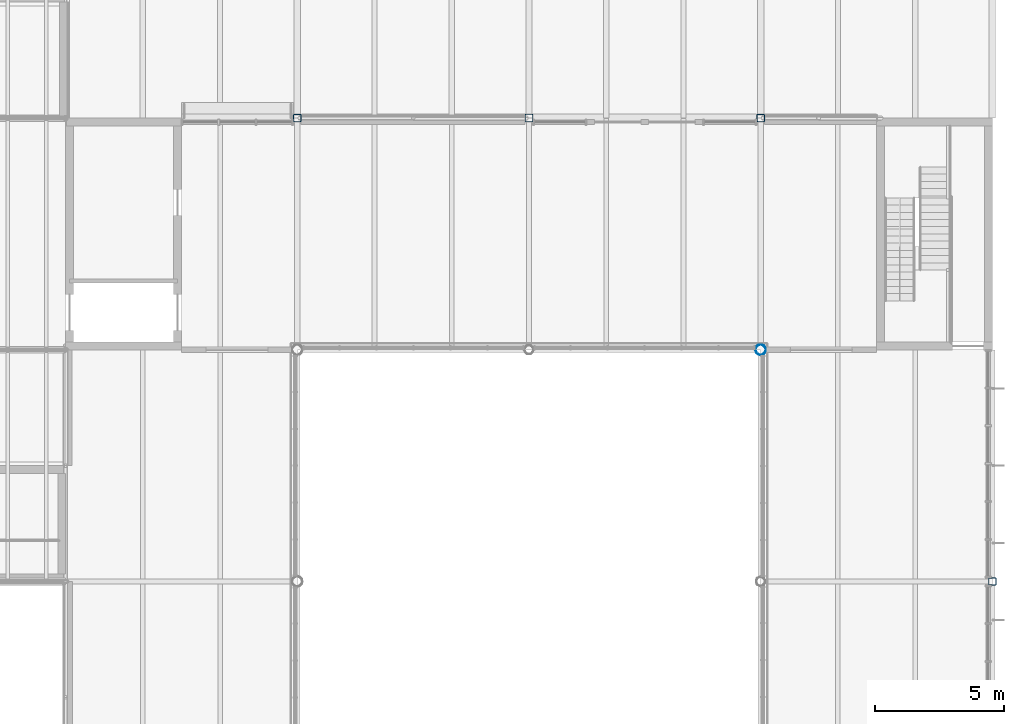
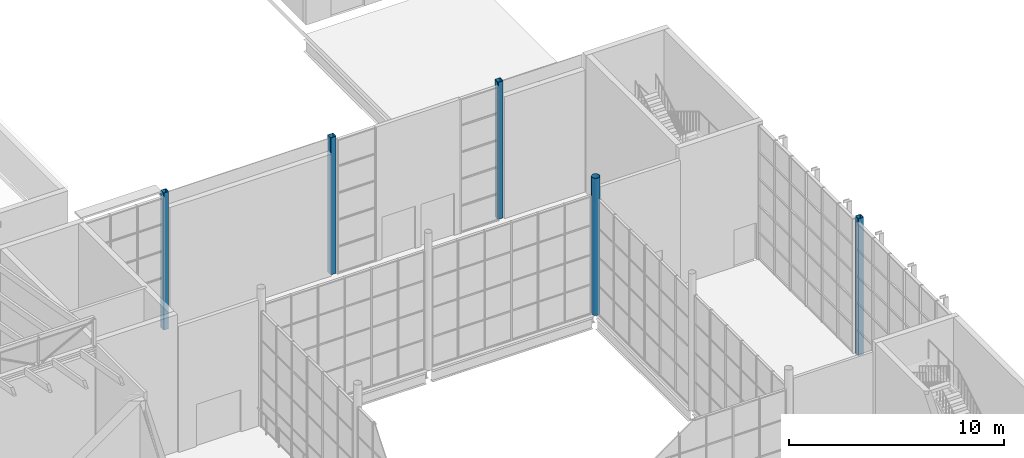
# One storey, part 6 of 90: 5 columns.
"""IFC4 building model written with IfcOpenShell, lengths in metres."""

import ifcopenshell
import ifcopenshell.guid

model = None  # the IFC model being written
_history = None  # IfcOwnerHistory: only IFC2X3 demands one
_inside = {}  # id of a spatial element -> (the spatial element, [elements in it])
_under = {}  # id of a project, library or spatial element -> (it, [spatial elements below it])
_declared = {}  # id of a project -> (the project, [libraries it declares])
_typed = {}  # id of a type object -> (the type object, [elements of that type])
_made_of = {}  # id of a material, layer set ... -> (it, [elements and type objects made of it])


def new_model(schema):
    """Start an empty IFC model of exactly this schema.

    Asked for "IFC4X3", IfcOpenShell would pick the latest addendum, in which some entities
    have other attributes; the version numbers below select the first issue.
    IFC2X3 requires an IfcOwnerHistory on every rooted entity: one is made here for all.
    """
    global model, _history
    if schema == "IFC4X3":
        model = ifcopenshell.file(schema_version=(4, 3, 0, 0))
    else:
        model = ifcopenshell.file(schema=schema)
    _inside.clear()
    _under.clear()
    _declared.clear()
    _typed.clear()
    _made_of.clear()
    _history = None
    if model.schema == "IFC2X3":
        org = make("IfcOrganization", Name="unknown")
        user = make(
            "IfcPersonAndOrganization",
            ThePerson=make("IfcPerson", FamilyName="unknown"),
            TheOrganization=org,
        )
        app = make(
            "IfcApplication",
            ApplicationDeveloper=org,
            Version="unknown",
            ApplicationFullName="unknown",
            ApplicationIdentifier="unknown",
        )
        _history = make(
            "IfcOwnerHistory",
            OwningUser=user,
            OwningApplication=app,
            ChangeAction="ADDED",
            CreationDate=0,
        )
    return model


def make(cls, **values):
    """One entity of the class cls with the attributes given. An attribute that is None is left unset."""
    return model.create_entity(
        cls, **{name: value for name, value in values.items() if value is not None}
    )


def rooted(cls, **values):
    """An entity with a GlobalId (a new one), such as an element, a storey or a relation."""
    return make(cls, GlobalId=ifcopenshell.guid.new(), OwnerHistory=_history, **values)


def si_unit(unit_type, name, prefix=None):
    """IfcSIUnit, for example si_unit("LENGTHUNIT", "METRE", prefix="MILLI")."""
    return make("IfcSIUnit", UnitType=unit_type, Prefix=prefix, Name=name)


def assignment(units):
    """IfcUnitAssignment: the units of a project."""
    return None if units is None else make("IfcUnitAssignment", Units=units)


def point(xyz):
    """IfcCartesianPoint."""
    return None if xyz is None else make("IfcCartesianPoint", Coordinates=xyz)


def direction(xyz):
    """IfcDirection."""
    return None if xyz is None else make("IfcDirection", DirectionRatios=xyz)


def frame(location, z_axis=None, x_axis=None):
    """IfcAxis2Placement3D, a coordinate frame: its origin and axes. An axis left out is left unset."""
    return make(
        "IfcAxis2Placement3D",
        Location=point(location),
        Axis=direction(z_axis),
        RefDirection=direction(x_axis),
    )


def frame_2d(location, x_axis=None):
    """IfcAxis2Placement2D, a coordinate frame in the plane: its origin and x axis."""
    return make(
        "IfcAxis2Placement2D", Location=point(location), RefDirection=direction(x_axis)
    )


def origin():
    """The frame at (0, 0, 0) with its axes left unset."""
    return frame((0.0, 0.0, 0.0))


def origin_2d():
    """The frame at (0, 0) in the plane with its x axis left unset."""
    return frame_2d((0.0, 0.0))


def place(relative_to, where):
    """IfcLocalPlacement: puts the frame where relative to a parent placement (None: the world)."""
    return make(
        "IfcLocalPlacement", PlacementRelTo=relative_to, RelativePlacement=where
    )


def context(
    kind, dimensions, precision=None, world=None, true_north=None, identifier=None
):
    """IfcGeometricRepresentationContext, for example the 3D "Model" context."""
    return make(
        "IfcGeometricRepresentationContext",
        ContextIdentifier=identifier,
        ContextType=kind,
        CoordinateSpaceDimension=dimensions,
        Precision=precision,
        WorldCoordinateSystem=world,
        TrueNorth=true_north,
    )


def subcontext(parent, identifier, kind, view, scale=None):
    """IfcGeometricRepresentationSubContext, for example "Body" below "Model"."""
    return make(
        "IfcGeometricRepresentationSubContext",
        ContextIdentifier=identifier,
        ContextType=kind,
        ParentContext=parent,
        TargetScale=scale,
        TargetView=view,
    )


def project(units=None, contexts=None):
    """IfcProject with its units and contexts."""
    return rooted(
        "IfcProject",
        Name="project",
        RepresentationContexts=contexts,
        UnitsInContext=assignment(units),
    )


def spatial(cls, under=None, at=None, **own):
    """A site, building, storey or space (cls), placed at a placement, below another one or the project."""
    s = rooted(cls, ObjectPlacement=at, **own)
    if under is not None:
        _under.setdefault(under.id(), (under, []))[1].append(s)
    return s


def profile(cls, at=None, kind="AREA", **sizes):
    """A parametric profile (cls). Its sizes go by their IFC names, for example OverallWidth=200.0."""
    return make(cls, ProfileType=kind, Position=at, **sizes)


def hollow_rectangle(**sizes):
    """IfcRectangleHollowProfileDef."""
    return profile("IfcRectangleHollowProfileDef", **sizes)


def hollow_circle(**sizes):
    """IfcCircleHollowProfileDef."""
    return profile("IfcCircleHollowProfileDef", **sizes)


def extrude(swept, where, along, depth):
    """IfcExtrudedAreaSolid: the profile swept, set in the frame where, extruded along a direction by depth."""
    return make(
        "IfcExtrudedAreaSolid",
        SweptArea=swept,
        Position=where,
        ExtrudedDirection=direction(along),
        Depth=depth,
    )


def shape(context_of_items, identifier, shape_type, items):
    """IfcShapeRepresentation: the items that make up one representation, for example the "Body"."""
    return make(
        "IfcShapeRepresentation",
        ContextOfItems=context_of_items,
        RepresentationIdentifier=identifier,
        RepresentationType=shape_type,
        Items=items,
    )


def material(Name=None, Category=None):
    """IfcMaterial."""
    return make("IfcMaterial", Name=Name, Category=Category)


def material_profile(
    of_material, cross_section, Name=None, Category=None, Priority=None
):
    """IfcMaterialProfile: a cross section and its material."""
    return make(
        "IfcMaterialProfile",
        Name=Name,
        Material=of_material,
        Profile=cross_section,
        Priority=Priority,
        Category=Category,
    )


def profile_set(profiles, Name=None, composite=None):
    """IfcMaterialProfileSet."""
    return make(
        "IfcMaterialProfileSet",
        Name=Name,
        MaterialProfiles=profiles,
        CompositeProfile=composite,
    )


def made_of(thing, what):
    """Note that an element or type object is made of a material, layer set ...; save() writes the relation."""
    if what is not None:
        _made_of.setdefault(what.id(), (what, []))[1].append(thing)
    return thing


def type_object(cls, material=None, **own):
    """A type object (cls), such as IfcWallType, which elements share."""
    return made_of(rooted(cls, **own), material)


def element(
    cls,
    number,
    at=None,
    inside=None,
    cuts=None,
    type_object=None,
    material=None,
    context=None,
    identifier="Body",
    shape_type=None,
    held_by="IfcProductDefinitionShape",
    body=None,
    shapes=None,
    **own,
):
    """One element of the class cls, such as IfcWall. Its Tag is "e" and its number.

    at: its placement. inside: the storey or other place that contains it. cuts: it is an
    opening in that element (IfcRelVoidsElement). A single representation is given by context,
    identifier, shape_type and body (its items); several are given by shapes. held_by: the class
    of the entity that holds the representations. save() writes the other relations.
    """
    e = rooted(cls, Tag="e%d" % number, ObjectPlacement=at, **own)
    if body is not None:
        shapes = [shape(context, identifier, shape_type, body)]
    if shapes is not None:
        e.Representation = make(held_by, Representations=shapes)
    if inside is not None:
        _inside.setdefault(inside.id(), (inside, []))[1].append(e)
    if cuts is not None:
        rooted(
            "IfcRelVoidsElement", RelatingBuildingElement=cuts, RelatedOpeningElement=e
        )
    if type_object is not None:
        _typed.setdefault(type_object.id(), (type_object, []))[1].append(e)
    return made_of(e, material)


def aggregate(whole, parts):
    """IfcRelAggregates: a whole, such as a stair, and the parts it consists of."""
    return rooted("IfcRelAggregates", RelatingObject=whole, RelatedObjects=parts)


def save(model, path):
    """Write the relations noted so far, then the file.

    IfcRelAggregates (storeys below a building ...), IfcRelContainedInSpatialStructure (elements
    in a storey), IfcRelDefinesByType, IfcRelAssociatesMaterial and IfcRelDeclares: one each for
    every whole, place, type object, material and project.
    """
    for whole, parts in _under.values():
        aggregate(whole, parts)
    for where, things in _inside.values():
        rooted(
            "IfcRelContainedInSpatialStructure",
            RelatedElements=things,
            RelatingStructure=where,
        )
    for kind, things in _typed.values():
        rooted("IfcRelDefinesByType", RelatedObjects=things, RelatingType=kind)
    for what, things in _made_of.values():
        rooted("IfcRelAssociatesMaterial", RelatedObjects=things, RelatingMaterial=what)
    for by, libraries in _declared.values():
        rooted("IfcRelDeclares", RelatingContext=by, RelatedDefinitions=libraries)
    model.write(path)


model = new_model("IFC4")

# Units and contexts
model_context = context("Model", 3, precision=1e-05, world=origin(), true_north=direction((0.0, 1.0)))
body_context = subcontext(model_context, "Body", "Model", "MODEL_VIEW")
ifc_project = project(units=[si_unit("LENGTHUNIT", "METRE"), si_unit("AREAUNIT", "SQUARE_METRE"), si_unit("VOLUMEUNIT", "CUBIC_METRE"), si_unit("PLANEANGLEUNIT", "RADIAN"), si_unit("MASSUNIT", "GRAM", prefix="KILO")], contexts=[model_context])

# Site, building, storey
site_placement = place(None, origin())
site = spatial("IfcSite", under=ifc_project, at=site_placement, CompositionType="ELEMENT")
building_placement = place(site_placement, origin())
building = spatial("IfcBuilding", under=site, at=building_placement, Name="Halyard Row Museum", CompositionType="ELEMENT")
storey_placement = place(building_placement, frame((0.0, 0.0, 13.39990234375)))
storey = spatial("IfcBuildingStorey", under=building, at=storey_placement, Name="L03", CompositionType="ELEMENT", Elevation=13.39990234375)

# Columns
ifc_material_1 = material(Name="Steel Grade C350L0", Category="steel")
ifc_material_profile_1 = material_profile(ifc_material_1, hollow_rectangle(XDim=0.300048828125, YDim=0.300048828125, WallThickness=0.010009765625, InnerFilletRadius=0.014892578125, OuterFilletRadius=0.02490234375, at=origin_2d()), Name="300x300x10.0SHS")
ifc_profile_set_1 = profile_set([ifc_material_profile_1], Name="Steel Grade C350L0")
column_type_1 = type_object("IfcColumnType", Name="Column 300x300x10.0SHS edge", PredefinedType="COLUMN", material=ifc_profile_set_1)
column_1_placement = place(storey_placement, frame((90.0, 36.0, 0.0), z_axis=(0.0, 0.0, 1.0), x_axis=(1.0, 0.0, 0.0)))
element("IfcColumn", 1, at=column_1_placement, inside=storey, type_object=column_type_1, Name="Column 11E L03", PredefinedType="COLUMN", context=body_context, shape_type="SweptSolid", body=[
    extrude(hollow_rectangle(XDim=0.300048828125, YDim=0.300048828125, WallThickness=0.010009765625, InnerFilletRadius=0.014892578125, OuterFilletRadius=0.02490234375, at=origin_2d()), origin(), (0.0, 0.0, 1.0), 7.800048828125),
])
ifc_material_2 = material(Name="Steel Grade C350L0", Category="steel")
ifc_material_profile_2 = material_profile(ifc_material_2, hollow_rectangle(XDim=0.300048828125, YDim=0.300048828125, WallThickness=0.01611328125, InnerFilletRadius=0.02392578125, OuterFilletRadius=0.0400390625, at=origin_2d()), Name="300x300x16.0SHS")
ifc_profile_set_2 = profile_set([ifc_material_profile_2], Name="Steel Grade C350L0")
column_type_2 = type_object("IfcColumnType", Name="Column 300x300x16.0SHS edge", PredefinedType="COLUMN", material=ifc_profile_set_2)
for number, where, z_axis, x_axis, name in (
    (2, (108.0, 18.0, 0.0), (0.0, 0.0, 1.0), (1.0, 0.0, 0.0), "Column 13C L03"),
    (3, (81.0, 36.0, 0.0), (0.0, 0.0, 1.0), (1.0, 0.0, 0.0), "Column 10E L03"),
    (4, (99.0, 36.0, 0.0), (0.0, 0.0, 1.0), (1.0, 0.0, 0.0), "Column 12E L03"),
):
    element("IfcColumn", number, at=place(storey_placement, frame(where, z_axis=z_axis, x_axis=x_axis)), inside=storey, type_object=column_type_2, Name=name, PredefinedType="COLUMN", context=body_context, shape_type="SweptSolid", body=[
        extrude(hollow_rectangle(XDim=0.300048828125, YDim=0.300048828125, WallThickness=0.01611328125, InnerFilletRadius=0.02392578125, OuterFilletRadius=0.0400390625, at=origin_2d()), origin(), (0.0, 0.0, 1.0), 7.800048828125),
    ])
ifc_material_3 = material(Name="Steel Grade C350L0", Category="steel")
ifc_material_profile_3 = material_profile(ifc_material_3, hollow_circle(Radius=0.203125, WallThickness=0.0126953125, at=origin_2d()), Name="406.4x12.7CHS")
ifc_profile_set_3 = profile_set([ifc_material_profile_3], Name="Steel Grade C350L0")
column_type_3 = type_object("IfcColumnType", Name="Column 406.4x12.7CHS atrium", PredefinedType="COLUMN", material=ifc_profile_set_3)
column_2_placement = place(storey_placement, frame((99.0, 27.0, 0.0), z_axis=(0.0, 0.0, 1.0), x_axis=(1.0, 0.0, 0.0)))
element("IfcColumn", 5, at=column_2_placement, inside=storey, type_object=column_type_3, Name="Column 12D L03", PredefinedType="COLUMN", context=body_context, shape_type="SweptSolid", body=[
    extrude(hollow_circle(Radius=0.203125, WallThickness=0.0126953125, at=origin_2d()), origin(), (0.0, 0.0, 1.0), 7.800048828125),
])

save(model, "model.ifc")
